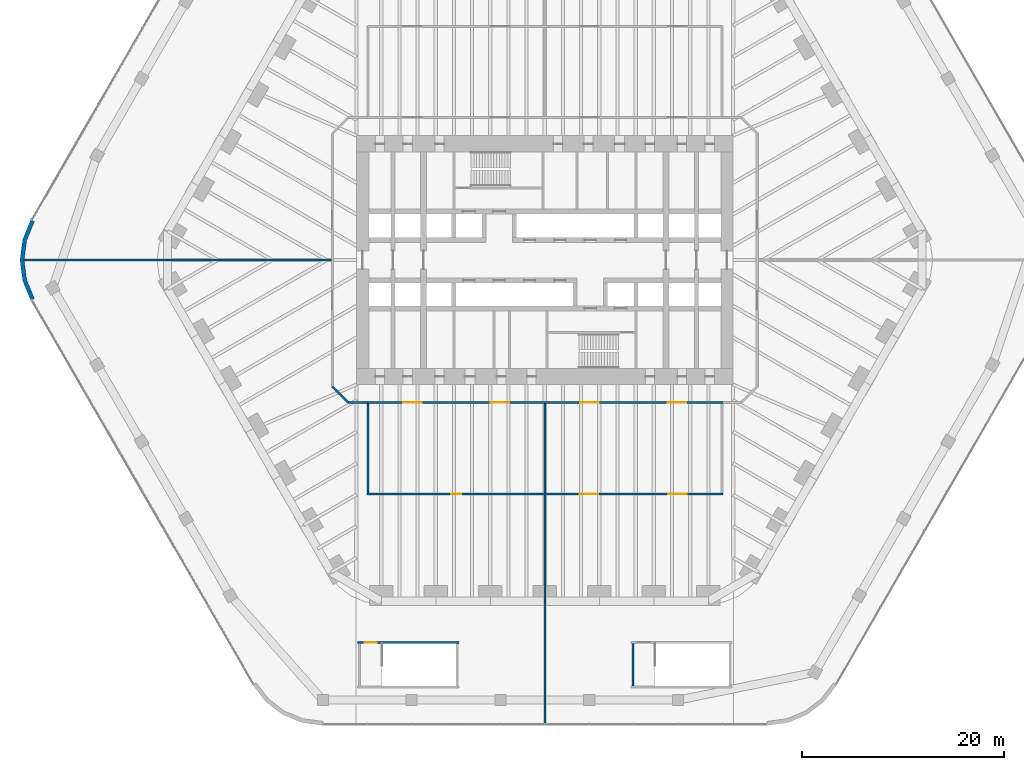
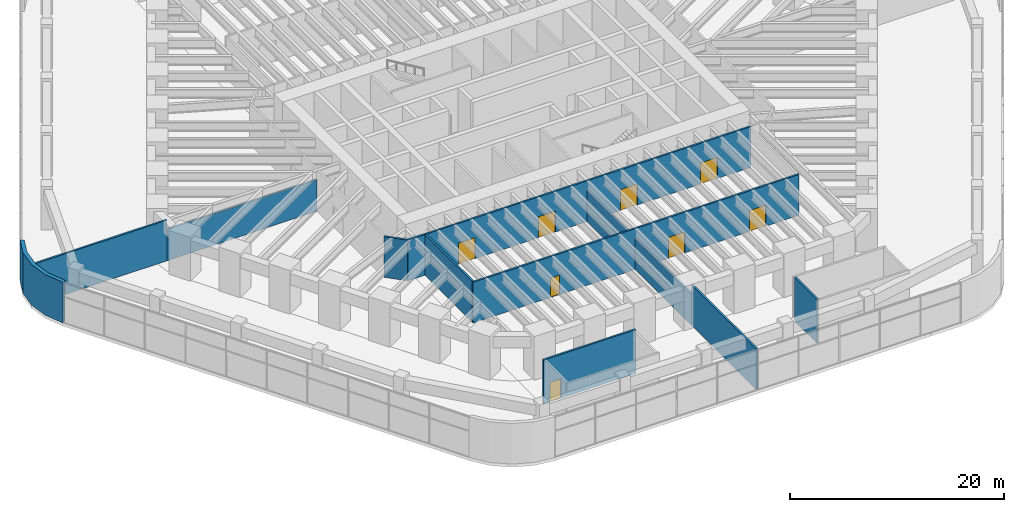
# One storey, part 26 of 31: 13 walls, 8 doors, 8 openings.
"""IFC4 building model written with IfcOpenShell, lengths in metres."""

from ifc_helpers import new_model, si_unit, direction, frame, frame_2d, origin, place, context, subcontext, project, spatial, polyline, rectangle, outline, extrude, material, layer, layer_set, type_object, element, fill, save


model = new_model("IFC4")

# Units and contexts
model_context = context("Model", 3, precision=1e-05, world=origin(), true_north=direction((0.0, 1.0)))
body_context = subcontext(model_context, "Body", "Model", "MODEL_VIEW")
ifc_project = project(units=[si_unit("LENGTHUNIT", "METRE"), si_unit("AREAUNIT", "SQUARE_METRE"), si_unit("VOLUMEUNIT", "CUBIC_METRE"), si_unit("PLANEANGLEUNIT", "RADIAN"), si_unit("MASSUNIT", "GRAM", prefix="KILO")], contexts=[model_context])

# Site, building, storey
site_placement = place(None, origin())
site = spatial("IfcSite", under=ifc_project, at=site_placement, CompositionType="ELEMENT")
building_placement = place(site_placement, origin())
building = spatial("IfcBuilding", under=site, at=building_placement, Name="Tarfa Lantern Tower", CompositionType="ELEMENT")
storey_placement = place(building_placement, frame((0.0, 0.0, 18.5)))
storey = spatial("IfcBuildingStorey", under=building, at=storey_placement, Name="L03", CompositionType="ELEMENT", Elevation=18.5)

# Wall
ifc_material_1 = material(Name="Limestone cladding on blockwork", Category="masonry")
ifc_layer_1 = layer(ifc_material_1, 0.39990234375)
ifc_layer_set_1 = layer_set([ifc_layer_1], Name="EW2 CURVED STONE CORNER 400")
wall_type_1 = type_object("IfcWallType", Name="EW2 CURVED STONE CORNER 400", PredefinedType="SOLIDWALL", material=ifc_layer_set_1)
wall_1_placement = place(storey_placement, origin())
element("IfcWall", 1, at=wall_1_placement, inside=storey, type_object=wall_type_1, Name="Stone corner NW-SW", PredefinedType="SOLIDWALL", context=body_context, shape_type="SweptSolid", body=[
    extrude(outline(polyline([(-50.806884765625, 4.0), (-51.60595703125, 2.070556640625), (-51.878662109375, 0.0), (-51.60595703125, -2.070556640625), (-50.806884765625, -4.0), (-50.46044921875, -3.800048828125), (-51.2197265625, -1.967041015625), (-51.478515625, 0.0), (-51.2197265625, 1.967041015625), (-50.46044921875, 3.800048828125), (-50.806884765625, 4.0)])), origin(), (0.0, 0.0, 1.0), 4.64990234375),
])

# Wall, openings, doors
ifc_material_2 = material(Name="Gypsum board on steel studs", Category="steel")
ifc_layer_2 = layer(ifc_material_2, 0.2099609375)
ifc_layer_set_2 = layer_set([ifc_layer_2], Name="IW2 ACOUSTIC PARTITION 200")
wall_type_2 = type_object("IfcWallType", Name="IW2 ACOUSTIC PARTITION 200", PredefinedType="PARTITIONING", material=ifc_layer_set_2)
wall_2_placement = place(storey_placement, frame((17.60009765625, -14.10009765625, 0.0), z_axis=(0.0, 0.0, 1.0), x_axis=(-1.0, 0.0, 0.0)))
wall_2 = element("IfcWall", 2, at=wall_2_placement, inside=storey, type_object=wall_type_2, Name="Partition", PredefinedType="PARTITIONING", context=body_context, shape_type="SweptSolid", body=[
    extrude(rectangle(XDim=35.2001953125, YDim=0.199951171875, at=frame_2d((17.60009765625, 0.0))), origin(), (0.0, 0.0, 1.0), 4.64990234375),
])
opening_1_placement = place(wall_2_placement, frame((12.27490234375, 0.0, 0.0)))
opening_1 = element("IfcOpeningElement", 3, at=opening_1_placement, cuts=wall_2, Name="Opening D37", PredefinedType="OPENING", context=body_context, shape_type="SweptSolid", body=[
    extrude(rectangle(XDim=1.800048828125, YDim=2.39990234375, at=frame_2d((0.89990234375, 1.199951171875))), frame((0.0, 0.10986328125, 0.0), z_axis=(0.0, -1.0, 0.0), x_axis=(1.0, 0.0, 0.0)), (0.0, 0.0, 1.0), 0.219970703125),
])
opening_2_placement = place(wall_2_placement, frame((3.625, 0.0, 0.0)))
opening_2 = element("IfcOpeningElement", 4, at=opening_2_placement, cuts=wall_2, Name="Opening D38", PredefinedType="OPENING", context=body_context, shape_type="SweptSolid", body=[
    extrude(rectangle(XDim=1.800048828125, YDim=2.39990234375, at=frame_2d((0.89990234375, 1.199951171875))), frame((0.0, 0.10986328125, 0.0), z_axis=(0.0, -1.0, 0.0), x_axis=(1.0, 0.0, 0.0)), (0.0, 0.0, 1.0), 0.219970703125),
])
opening_3_placement = place(wall_2_placement, frame((29.77490234375, 0.0, 0.0)))
opening_3 = element("IfcOpeningElement", 5, at=opening_3_placement, cuts=wall_2, Name="Opening D39", PredefinedType="OPENING", context=body_context, shape_type="SweptSolid", body=[
    extrude(rectangle(XDim=1.800048828125, YDim=2.39990234375, at=frame_2d((0.89990234375, 1.199951171875))), frame((0.0, 0.10986328125, 0.0), z_axis=(0.0, -1.0, 0.0), x_axis=(1.0, 0.0, 0.0)), (0.0, 0.0, 1.0), 0.219970703125),
])
opening_4_placement = place(wall_2_placement, frame((21.125, 0.0, 0.0)))
opening_4 = element("IfcOpeningElement", 6, at=opening_4_placement, cuts=wall_2, Name="Opening D40", PredefinedType="OPENING", context=body_context, shape_type="SweptSolid", body=[
    extrude(rectangle(XDim=1.800048828125, YDim=2.39990234375, at=frame_2d((0.89990234375, 1.199951171875))), frame((0.0, 0.10986328125, 0.0), z_axis=(0.0, -1.0, 0.0), x_axis=(1.0, 0.0, 0.0)), (0.0, 0.0, 1.0), 0.219970703125),
])
ifc_material_3 = material(Name="Timber door", Category="wood")
door_type_1 = type_object("IfcDoorType", Name="DR2 ROOM DOOR 1800x2400", OperationType="DOUBLE_DOOR_SINGLE_SWING", PredefinedType="DOOR", material=ifc_material_3)
door_1_placement = place(opening_1_placement, origin())
door_1 = element("IfcDoor", 7, at=door_1_placement, inside=storey, type_object=door_type_1, Name="Fitness room door", OperationType="DOUBLE_DOOR_SINGLE_SWING", OverallHeight=2.39990234375, OverallWidth=1.800048828125, PredefinedType="DOOR", context=body_context, shape_type="SweptSolid", body=[
    extrude(rectangle(XDim=1.800048828125, YDim=2.39990234375, at=frame_2d((0.89990234375, 1.199951171875))), frame((0.0, 0.02490234375, 0.0), z_axis=(0.0, -1.0, 0.0), x_axis=(1.0, 0.0, 0.0)), (0.0, 0.0, 1.0), 0.050048828125),
])
fill(opening_1, door_1)
door_2_placement = place(opening_2_placement, origin())
door_2 = element("IfcDoor", 8, at=door_2_placement, inside=storey, type_object=door_type_1, Name="Fitness room door", OperationType="DOUBLE_DOOR_SINGLE_SWING", OverallHeight=2.39990234375, OverallWidth=1.800048828125, PredefinedType="DOOR", context=body_context, shape_type="SweptSolid", body=[
    extrude(rectangle(XDim=1.800048828125, YDim=2.39990234375, at=frame_2d((0.89990234375, 1.199951171875))), frame((0.0, 0.02490234375, 0.0), z_axis=(0.0, -1.0, 0.0), x_axis=(1.0, 0.0, 0.0)), (0.0, 0.0, 1.0), 0.050048828125),
])
fill(opening_2, door_2)
door_3_placement = place(opening_3_placement, origin())
door_3 = element("IfcDoor", 9, at=door_3_placement, inside=storey, type_object=door_type_1, Name="Changing room door", OperationType="DOUBLE_DOOR_SINGLE_SWING", OverallHeight=2.39990234375, OverallWidth=1.800048828125, PredefinedType="DOOR", context=body_context, shape_type="SweptSolid", body=[
    extrude(rectangle(XDim=1.800048828125, YDim=2.39990234375, at=frame_2d((0.89990234375, 1.199951171875))), frame((0.0, 0.02490234375, 0.0), z_axis=(0.0, -1.0, 0.0), x_axis=(1.0, 0.0, 0.0)), (0.0, 0.0, 1.0), 0.050048828125),
])
fill(opening_3, door_3)
door_4_placement = place(opening_4_placement, origin())
door_4 = element("IfcDoor", 10, at=door_4_placement, inside=storey, type_object=door_type_1, Name="Changing room door", OperationType="DOUBLE_DOOR_SINGLE_SWING", OverallHeight=2.39990234375, OverallWidth=1.800048828125, PredefinedType="DOOR", context=body_context, shape_type="SweptSolid", body=[
    extrude(rectangle(XDim=1.800048828125, YDim=2.39990234375, at=frame_2d((0.89990234375, 1.199951171875))), frame((0.0, 0.02490234375, 0.0), z_axis=(0.0, -1.0, 0.0), x_axis=(1.0, 0.0, 0.0)), (0.0, 0.0, 1.0), 0.050048828125),
])
fill(opening_4, door_4)

# Walls
wall_3_placement = place(storey_placement, frame((0.0, -14.199951171875, 0.0), z_axis=(0.0, 0.0, 1.0), x_axis=(0.0, -1.0, 0.0)))
element("IfcWall", 11, at=wall_3_placement, inside=storey, type_object=wall_type_2, Name="Partition", PredefinedType="PARTITIONING", context=body_context, shape_type="SweptSolid", body=[
    extrude(rectangle(XDim=8.800048828125, YDim=0.199951171875, at=frame_2d((4.39990234375, 0.0))), origin(), (0.0, 0.0, 1.0), 3.593994140625),
])
wall_4_placement = place(storey_placement, frame((-17.5, -14.199951171875, 0.0), z_axis=(0.0, 0.0, 1.0), x_axis=(0.0, -1.0, 0.0)))
element("IfcWall", 12, at=wall_4_placement, inside=storey, type_object=wall_type_2, Name="Partition", PredefinedType="PARTITIONING", context=body_context, shape_type="SweptSolid", body=[
    extrude(rectangle(XDim=8.800048828125, YDim=0.199951171875, at=frame_2d((4.39990234375, 0.0))), origin(), (0.0, 0.0, 1.0), 4.64990234375),
])

# Wall, openings, doors
wall_5_placement = place(storey_placement, frame((17.60009765625, -23.10009765625, 0.0), z_axis=(0.0, 0.0, 1.0), x_axis=(-1.0, 0.0, 0.0)))
wall_5 = element("IfcWall", 13, at=wall_5_placement, inside=storey, type_object=wall_type_2, Name="Partition", PredefinedType="PARTITIONING", context=body_context, shape_type="SweptSolid", body=[
    extrude(rectangle(XDim=35.2001953125, YDim=0.199951171875, at=frame_2d((17.60009765625, 0.0))), origin(), (0.0, 0.0, 1.0), 4.64990234375),
])
opening_5_placement = place(wall_5_placement, frame((3.574951171875, 0.0, 0.0)))
opening_5 = element("IfcOpeningElement", 14, at=opening_5_placement, cuts=wall_5, Name="Opening D45", PredefinedType="OPENING", context=body_context, shape_type="SweptSolid", body=[
    extrude(rectangle(XDim=1.800048828125, YDim=2.39990234375, at=frame_2d((0.89990234375, 1.199951171875))), frame((0.0, 0.10986328125, 0.0), z_axis=(0.0, -1.0, 0.0), x_axis=(1.0, 0.0, 0.0)), (0.0, 0.0, 1.0), 0.219970703125),
])
opening_6_placement = place(wall_5_placement, frame((12.324951171875, 0.0, 0.0)))
opening_6 = element("IfcOpeningElement", 15, at=opening_6_placement, cuts=wall_5, Name="Opening D46", PredefinedType="OPENING", context=body_context, shape_type="SweptSolid", body=[
    extrude(rectangle(XDim=1.800048828125, YDim=2.39990234375, at=frame_2d((0.89990234375, 1.199951171875))), frame((0.0, 0.10986328125, 0.0), z_axis=(0.0, -1.0, 0.0), x_axis=(1.0, 0.0, 0.0)), (0.0, 0.0, 1.0), 0.219970703125),
])
opening_7_placement = place(wall_5_placement, frame((25.85009765625, 0.0, 0.0)))
opening_7 = element("IfcOpeningElement", 16, at=opening_7_placement, cuts=wall_5, Name="Opening D47", PredefinedType="OPENING", context=body_context, shape_type="SweptSolid", body=[
    extrude(rectangle(XDim=1.0, YDim=2.199951171875, at=frame_2d((0.5, 1.10009765625))), frame((0.0, 0.10986328125, 0.0), z_axis=(0.0, -1.0, 0.0), x_axis=(1.0, 0.0, 0.0)), (0.0, 0.0, 1.0), 0.219970703125),
])
door_type_2 = type_object("IfcDoorType", Name="DR1 ROOM DOOR 1000x2200", OperationType="SINGLE_SWING_LEFT", PredefinedType="DOOR", material=ifc_material_3)
door_5_placement = place(opening_7_placement, frame((1.0, 0.0, 0.0), z_axis=(0.0, 0.0, 1.0), x_axis=(-1.0, 0.0, 0.0)))
door_5 = element("IfcDoor", 17, at=door_5_placement, inside=storey, type_object=door_type_2, Name="Changing room door", OperationType="SINGLE_SWING_RIGHT", OverallHeight=2.199951171875, OverallWidth=1.0, PredefinedType="DOOR", context=body_context, shape_type="SweptSolid", body=[
    extrude(rectangle(XDim=1.0, YDim=2.199951171875, at=frame_2d((0.5, 1.10009765625))), frame((0.0, 0.02490234375, 0.0), z_axis=(0.0, -1.0, 0.0), x_axis=(1.0, 0.0, 0.0)), (0.0, 0.0, 1.0), 0.050048828125),
])
fill(opening_7, door_5)
door_6_placement = place(opening_5_placement, frame((1.800048828125, 0.0, 0.0), z_axis=(0.0, 0.0, 1.0), x_axis=(-1.0, 0.0, 0.0)))
door_6 = element("IfcDoor", 18, at=door_6_placement, inside=storey, type_object=door_type_1, Name="Fitness room door", OperationType="DOUBLE_DOOR_SINGLE_SWING", OverallHeight=2.39990234375, OverallWidth=1.800048828125, PredefinedType="DOOR", context=body_context, shape_type="SweptSolid", body=[
    extrude(rectangle(XDim=1.800048828125, YDim=2.39990234375, at=frame_2d((0.89990234375, 1.199951171875))), frame((0.0, 0.02490234375, 0.0), z_axis=(0.0, -1.0, 0.0), x_axis=(1.0, 0.0, 0.0)), (0.0, 0.0, 1.0), 0.050048828125),
])
fill(opening_5, door_6)
door_7_placement = place(opening_6_placement, frame((1.800048828125, 0.0, 0.0), z_axis=(0.0, 0.0, 1.0), x_axis=(-1.0, 0.0, 0.0)))
door_7 = element("IfcDoor", 19, at=door_7_placement, inside=storey, type_object=door_type_1, Name="Fitness room door", OperationType="DOUBLE_DOOR_SINGLE_SWING", OverallHeight=2.39990234375, OverallWidth=1.800048828125, PredefinedType="DOOR", context=body_context, shape_type="SweptSolid", body=[
    extrude(rectangle(XDim=1.800048828125, YDim=2.39990234375, at=frame_2d((0.89990234375, 1.199951171875))), frame((0.0, 0.02490234375, 0.0), z_axis=(0.0, -1.0, 0.0), x_axis=(1.0, 0.0, 0.0)), (0.0, 0.0, 1.0), 0.050048828125),
])
fill(opening_6, door_7)

# Walls
wall_6_placement = place(storey_placement, frame((-17.60009765625, -14.10009765625, 0.0), z_axis=(0.0, 0.0, 1.0), x_axis=(-1.0, 0.0, 0.0)))
element("IfcWall", 20, at=wall_6_placement, inside=storey, type_object=wall_type_2, Name="Partition", PredefinedType="PARTITIONING", context=body_context, shape_type="SweptSolid", body=[
    extrude(rectangle(XDim=1.7998046875, YDim=0.199951171875, at=frame_2d((0.89990234375, 0.0))), origin(), (0.0, 0.0, 1.0), 4.64990234375),
])
wall_7_placement = place(storey_placement, frame((-19.39990234375, -14.10009765625, 0.0), z_axis=(0.0, 0.0, 1.0), x_axis=(-0.707106781187, 0.707106781187, 0.0)))
element("IfcWall", 21, at=wall_7_placement, inside=storey, type_object=wall_type_2, Name="Partition", PredefinedType="PARTITIONING", context=body_context, shape_type="SweptSolid", body=[
    extrude(rectangle(XDim=2.262939453125, YDim=0.199951171875, at=frame_2d((1.13134765625, 0.0))), origin(), (0.0, 0.0, 1.0), 4.64990234375),
])
wall_8_placement = place(storey_placement, frame((0.0, -23.199951171875, 0.0), z_axis=(0.0, 0.0, 1.0), x_axis=(0.0, -1.0, 0.0)))
element("IfcWall", 22, at=wall_8_placement, inside=storey, type_object=wall_type_2, Name="Partition", PredefinedType="PARTITIONING", context=body_context, shape_type="SweptSolid", body=[
    extrude(rectangle(XDim=10.52001953125, YDim=0.199951171875, at=frame_2d((5.260009765625, 0.0))), origin(), (0.0, 0.0, 1.0), 3.593994140625),
])
wall_9_placement = place(storey_placement, frame((0.0, -33.719970703125, 0.0), z_axis=(0.0, 0.0, 1.0), x_axis=(0.0, -1.0, 0.0)))
element("IfcWall", 23, at=wall_9_placement, inside=storey, type_object=wall_type_2, Name="Partition", PredefinedType="PARTITIONING", context=body_context, shape_type="SweptSolid", body=[
    extrude(rectangle(XDim=12.090087890625, YDim=0.199951171875, at=frame_2d((6.044921875, 0.0))), origin(), (0.0, 0.0, 1.0), 4.64990234375),
])
wall_10_placement = place(storey_placement, frame((-21.10009765625, 0.0, 0.0), z_axis=(0.0, 0.0, 1.0), x_axis=(-1.0, 0.0, 0.0)))
element("IfcWall", 24, at=wall_10_placement, inside=storey, type_object=wall_type_2, Name="Partition", PredefinedType="PARTITIONING", context=body_context, shape_type="SweptSolid", body=[
    extrude(rectangle(XDim=16.185302734375, YDim=0.199951171875, at=frame_2d((8.0927734375, 0.0))), origin(), (0.0, 0.0, 1.0), 3.593994140625),
])
wall_11_placement = place(storey_placement, frame((-37.285400390625, 0.0, 0.0), z_axis=(0.0, 0.0, 1.0), x_axis=(-1.0, 0.0, 0.0)))
element("IfcWall", 25, at=wall_11_placement, inside=storey, type_object=wall_type_2, Name="Partition", PredefinedType="PARTITIONING", context=body_context, shape_type="SweptSolid", body=[
    extrude(rectangle(XDim=14.18017578125, YDim=0.199951171875, at=frame_2d((7.090087890625, 0.0))), origin(), (0.0, 0.0, 1.0), 4.64990234375),
])

# Wall, opening, door
ifc_material_4 = material(Name="Concrete C80/95", Category="concrete")
ifc_layer_3 = layer(ifc_material_4, 0.199951171875)
ifc_layer_set_3 = layer_set([ifc_layer_3], Name="SW12 CORE WALL 200")
wall_type_3 = type_object("IfcWallType", Name="SW12 CORE WALL 200", PredefinedType="SHEAR", material=ifc_layer_set_3)
wall_12_placement = place(storey_placement, frame((-8.5, -37.800048828125, 0.0), z_axis=(0.0, 0.0, 1.0), x_axis=(-1.0, 0.0, 0.0)))
wall_12 = element("IfcWall", 26, at=wall_12_placement, inside=storey, type_object=wall_type_3, Name="Stair ST5 shaft wall", PredefinedType="SHEAR", context=body_context, shape_type="SweptSolid", body=[
    extrude(rectangle(XDim=10.0, YDim=0.199951171875, at=frame_2d((5.0, 0.0))), origin(), (0.0, 0.0, 1.0), 5.0),
])
opening_8_placement = place(wall_12_placement, frame((8.10009765625, 0.0, 0.0)))
opening_8 = element("IfcOpeningElement", 27, at=opening_8_placement, cuts=wall_12, Name="Opening D31", PredefinedType="OPENING", context=body_context, shape_type="SweptSolid", body=[
    extrude(rectangle(XDim=1.199951171875, YDim=2.199951171875, at=frame_2d((0.60009765625, 1.10009765625))), frame((0.0, 0.10986328125, 0.0), z_axis=(0.0, -1.0, 0.0), x_axis=(1.0, 0.0, 0.0)), (0.0, 0.0, 1.0), 0.219970703125),
])
ifc_material_5 = material(Name="Steel fire door", Category="steel")
door_type_3 = type_object("IfcDoorType", Name="DF9 STAIR DOOR 1200x2200", OperationType="SINGLE_SWING_LEFT", PredefinedType="DOOR", material=ifc_material_5)
door_8_placement = place(opening_8_placement, frame((1.199951171875, 0.0, 0.0), z_axis=(0.0, 0.0, 1.0), x_axis=(-1.0, 0.0, 0.0)))
door_8 = element("IfcDoor", 28, at=door_8_placement, inside=storey, type_object=door_type_3, Name="Stair door", OperationType="SINGLE_SWING_RIGHT", OverallHeight=2.199951171875, OverallWidth=1.199951171875, PredefinedType="DOOR", context=body_context, shape_type="SweptSolid", body=[
    extrude(rectangle(XDim=1.199951171875, YDim=2.199951171875, at=frame_2d((0.60009765625, 1.10009765625))), frame((0.0, 0.02490234375, 0.0), z_axis=(0.0, -1.0, 0.0), x_axis=(1.0, 0.0, 0.0)), (0.0, 0.0, 1.0), 0.050048828125),
])
fill(opening_8, door_8)

# Wall
wall_13_placement = place(storey_placement, frame((8.699951171875, -37.89990234375, 0.0), z_axis=(0.0, 0.0, 1.0), x_axis=(0.0, -1.0, 0.0)))
element("IfcWall", 29, at=wall_13_placement, inside=storey, type_object=wall_type_3, Name="Stair ST6 shaft wall", PredefinedType="SHEAR", context=body_context, shape_type="SweptSolid", body=[
    extrude(rectangle(XDim=4.2001953125, YDim=0.199951171875, at=frame_2d((2.10009765625, 0.0))), origin(), (0.0, 0.0, 1.0), 5.0),
])

save(model, "model.ifc")
